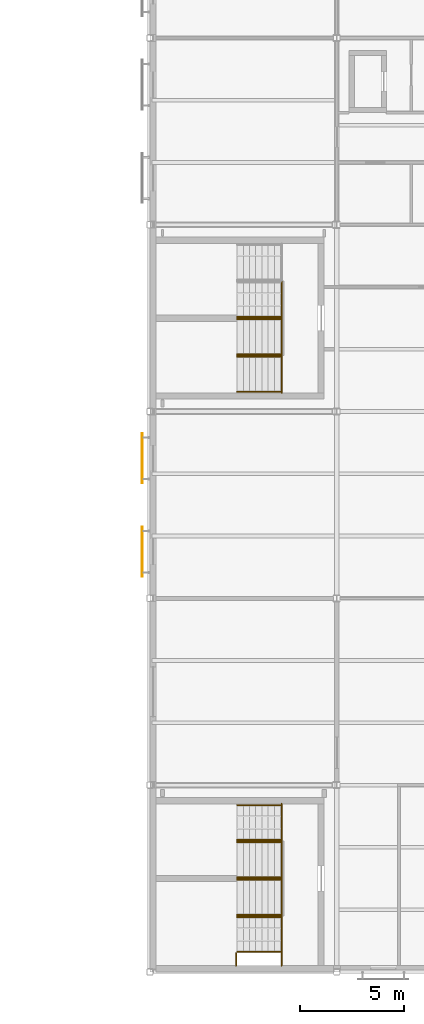
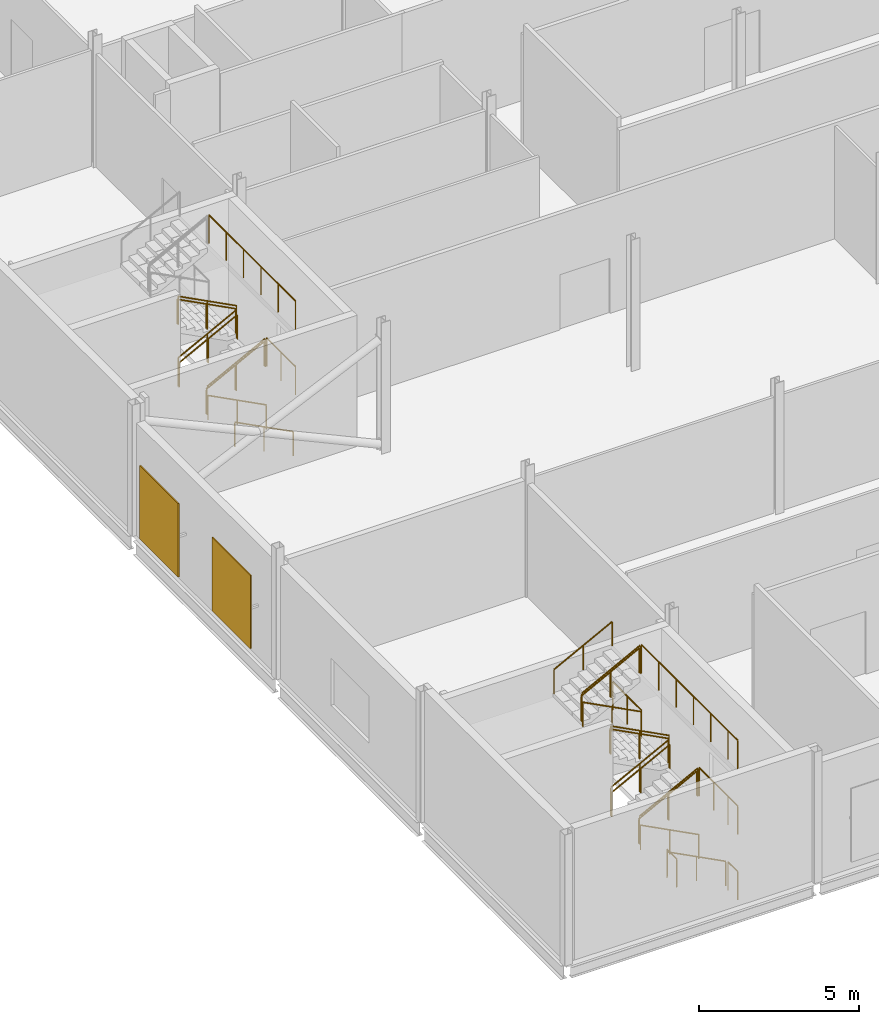
# One storey, part 105 of 112: 29 railings, 2 shading devices.
"""IFC4 building model written with IfcOpenShell, lengths in metres."""

from ifc_helpers import new_model, si_unit, direction, frame, origin, origin_2d, place, context, subcontext, project, spatial, rectangle, circle, extrude, material, layer, layer_set, type_object, element, save


model = new_model("IFC4")

# Units and contexts
model_context = context("Model", 3, precision=1e-05, world=origin(), true_north=direction((0.0, 1.0)))
body_context = subcontext(model_context, "Body", "Model", "MODEL_VIEW")
ifc_project = project(units=[si_unit("LENGTHUNIT", "METRE"), si_unit("AREAUNIT", "SQUARE_METRE"), si_unit("VOLUMEUNIT", "CUBIC_METRE"), si_unit("PLANEANGLEUNIT", "RADIAN"), si_unit("MASSUNIT", "GRAM", prefix="KILO")], contexts=[model_context])

# Site, building, storey
site_placement = place(None, origin())
site = spatial("IfcSite", under=ifc_project, at=site_placement, CompositionType="ELEMENT")
building_placement = place(site_placement, origin())
building = spatial("IfcBuilding", under=site, at=building_placement, Name="Shorebreak Coast Museum", CompositionType="ELEMENT")
storey_placement = place(building_placement, frame((0.0, 0.0, 6.0)))
storey = spatial("IfcBuildingStorey", under=building, at=storey_placement, Name="L01", CompositionType="ELEMENT", Elevation=6.0)

# Shading devices
ifc_material_1 = material(Name="Aluminium", Category="aluminium")
ifc_layer = layer(ifc_material_1, 0.0400390625)
ifc_layer_set = layer_set([ifc_layer], Name="Aluminium")
shading_device_type = type_object("IfcShadingDeviceType", Name="Perforated aluminium screen 2400 x 2800", PredefinedType="USERDEFINED", material=ifc_layer_set)
for number, where, z_axis, x_axis, name in (
    (1, (53.6298828125, 20.25, 0.5498046875), (0.0, 0.0, 1.0), (1.0, 0.0, 0.0), "Perforated screen L01 W17"),
    (2, (53.6298828125, 24.75, 0.5498046875), (0.0, 0.0, 1.0), (1.0, 0.0, 0.0), "Perforated screen L01 W18"),
):
    element("IfcShadingDevice", number, at=place(storey_placement, frame(where, z_axis=z_axis, x_axis=x_axis)), inside=storey, type_object=shading_device_type, Name=name, ObjectType="LOUVRE", PredefinedType="USERDEFINED", context=body_context, shape_type="SweptSolid", body=[
        extrude(rectangle(XDim=0.0400390625, YDim=2.39990234375, at=origin_2d()), origin(), (0.0, 0.0, 1.0), 2.800048828125),
    ])

# Railings
ifc_material_2 = material(Name="Steel Grade 300", Category="steel")
railing_type_1 = type_object("IfcRailingType", Name="Stair guard 1100", PredefinedType="GUARDRAIL", material=ifc_material_2)
for number, where, name in (
    (3, (60.35009765625, 0.89990234375, 2.5), "Guard ST11 L01 landing mid1"),
    (4, (60.35009765625, 6.300048828125, 2.5), "Guard ST11 L01 landing mid1"),
):
    element("IfcRailing", number, at=place(storey_placement, frame(where)), inside=storey, type_object=railing_type_1, Name=name, PredefinedType="GUARDRAIL", context=body_context, shape_type="SweptSolid", body=[
        extrude(circle(Radius=0.02490234375, at=origin_2d()), frame((0.0, 0.0, 1.0751953125), z_axis=(0.0, 1.0, 0.0), x_axis=(-1.0, 0.0, 0.0)), (0.0, 0.0, 1.0), 1.800048828125),
        extrude(circle(Radius=0.02001953125, at=origin_2d()), origin(), (0.0, 0.0, 1.0), 1.050048828125),
        extrude(circle(Radius=0.02001953125, at=origin_2d()), frame((0.0, 0.89990234375, 0.0)), (0.0, 0.0, 1.0), 1.050048828125),
        extrude(circle(Radius=0.02001953125, at=origin_2d()), frame((0.0, 1.800048828125, 0.0)), (0.0, 0.0, 1.0), 1.050048828125),
    ])
railing_1_placement = place(storey_placement, frame((60.35009765625, 0.89990234375, 5.0)))
element("IfcRailing", 5, at=railing_1_placement, inside=storey, type_object=railing_type_1, Name="Guard ST11 L01 landing top", PredefinedType="GUARDRAIL", context=body_context, shape_type="SweptSolid", body=[
    extrude(circle(Radius=0.02490234375, at=origin_2d()), frame((0.0, 0.0, 1.0751953125), z_axis=(0.0, 1.0, 0.0), x_axis=(-1.0, 0.0, 0.0)), (0.0, 0.0, 1.0), 5.400146484375),
    extrude(circle(Radius=0.02001953125, at=origin_2d()), origin(), (0.0, 0.0, 1.0), 1.050048828125),
    extrude(circle(Radius=0.02001953125, at=origin_2d()), frame((0.0, 1.080078125, 0.0)), (0.0, 0.0, 1.0), 1.050048828125),
    extrude(circle(Radius=0.02001953125, at=origin_2d()), frame((0.0, 2.16015625, 0.0)), (0.0, 0.0, 1.0), 1.050048828125),
    extrude(circle(Radius=0.02001953125, at=origin_2d()), frame((0.0, 3.239990234375, 0.0)), (0.0, 0.0, 1.0), 1.050048828125),
    extrude(circle(Radius=0.02001953125, at=origin_2d()), frame((0.0, 4.320068359375, 0.0)), (0.0, 0.0, 1.0), 1.050048828125),
    extrude(circle(Radius=0.02001953125, at=origin_2d()), frame((0.0, 5.400146484375, 0.0)), (0.0, 0.0, 1.0), 1.050048828125),
])
for number, where, name in (
    (6, (60.35009765625, 0.300048828125, 0.0), "Guard ST11 L01 landing strip"),
    (7, (60.35009765625, 0.300048828125, 2.5), "Guard ST11 L01 landing strip"),
    (8, (58.14990234375, 0.300048828125, 1.25), "Guard ST11 L01 landing strip"),
    (9, (60.35009765625, 0.300048828125, 5.0), "Guard ST11 L01 landing strip"),
):
    element("IfcRailing", number, at=place(storey_placement, frame(where)), inside=storey, type_object=railing_type_1, Name=name, PredefinedType="GUARDRAIL", context=body_context, shape_type="SweptSolid", body=[
        extrude(circle(Radius=0.02490234375, at=origin_2d()), frame((0.0, 0.0, 1.0751953125), z_axis=(0.0, 1.0, 0.0), x_axis=(-1.0, 0.0, 0.0)), (0.0, 0.0, 1.0), 0.599853515625),
        extrude(circle(Radius=0.02001953125, at=origin_2d()), origin(), (0.0, 0.0, 1.0), 1.050048828125),
        extrude(circle(Radius=0.02001953125, at=origin_2d()), frame((0.0, 0.599853515625, 0.0)), (0.0, 0.0, 1.0), 1.050048828125),
    ])
for number, where, name in (
    (10, (58.199951171875, 2.699951171875, 1.40625), "Guard ST11-L01 well 1"),
    (11, (58.199951171875, 6.300048828125, 3.90625), "Guard ST11-L01 well 2"),
    (12, (58.199951171875, 4.5, 1.40625), "Guard ST11-L01 side 1"),
):
    element("IfcRailing", number, at=place(storey_placement, frame(where)), inside=storey, type_object=railing_type_1, Name=name, PredefinedType="GUARDRAIL", context=body_context, shape_type="SweptSolid", body=[
        extrude(circle(Radius=0.02490234375, at=origin_2d()), frame((0.0, 0.0, 1.0751953125), z_axis=(0.8869228845, 0.0, 0.461917521804), x_axis=(0.0, 1.0, 0.0)), (0.0, 0.0, 1.0), 2.367919921875),
        extrude(circle(Radius=0.02001953125, at=origin_2d()), origin(), (0.0, 0.0, 1.0), 1.050048828125),
        extrude(circle(Radius=0.02001953125, at=origin_2d()), frame((1.050048828125, 0.0, 0.546875)), (0.0, 0.0, 1.0), 1.050048828125),
        extrude(circle(Radius=0.02001953125, at=origin_2d()), frame((2.10009765625, 0.0, 1.09375)), (0.0, 0.0, 1.0), 1.050048828125),
    ])
railing_2_placement = place(storey_placement, frame((60.300048828125, 4.5, 2.65625)))
element("IfcRailing", 13, at=railing_2_placement, inside=storey, type_object=railing_type_1, Name="Guard ST11-L01 side 2", PredefinedType="GUARDRAIL", context=body_context, shape_type="SweptSolid", body=[
    extrude(circle(Radius=0.02490234375, at=origin_2d()), frame((0.0, 0.0, 1.0751953125), z_axis=(-0.8869228845, 0.0, 0.461917521804), x_axis=(0.0, -1.0, 0.0)), (0.0, 0.0, 1.0), 2.367919921875),
    extrude(circle(Radius=0.02001953125, at=origin_2d()), origin(), (0.0, 0.0, 1.0), 1.050048828125),
    extrude(circle(Radius=0.02001953125, at=origin_2d()), frame((-1.050048828125, 0.0, 0.546875)), (0.0, 0.0, 1.0), 1.050048828125),
    extrude(circle(Radius=0.02001953125, at=origin_2d()), frame((-2.10009765625, 0.0, 1.09375)), (0.0, 0.0, 1.0), 1.050048828125),
])
railing_3_placement = place(storey_placement, frame((60.35009765625, 27.89990234375, 2.5)))
element("IfcRailing", 14, at=railing_3_placement, inside=storey, type_object=railing_type_1, Name="Guard ST13 L01 landing mid1", PredefinedType="GUARDRAIL", context=body_context, shape_type="SweptSolid", body=[
    extrude(circle(Radius=0.02490234375, at=origin_2d()), frame((0.0, 0.0, 1.0751953125), z_axis=(0.0, 1.0, 0.0), x_axis=(-1.0, 0.0, 0.0)), (0.0, 0.0, 1.0), 1.800048828125),
    extrude(circle(Radius=0.02001953125, at=origin_2d()), origin(), (0.0, 0.0, 1.0), 1.050048828125),
    extrude(circle(Radius=0.02001953125, at=origin_2d()), frame((0.0, 0.89990234375, 0.0)), (0.0, 0.0, 1.0), 1.050048828125),
    extrude(circle(Radius=0.02001953125, at=origin_2d()), frame((0.0, 1.800048828125, 0.0)), (0.0, 0.0, 1.0), 1.050048828125),
])
railing_4_placement = place(storey_placement, frame((60.35009765625, 27.89990234375, 5.0)))
element("IfcRailing", 15, at=railing_4_placement, inside=storey, type_object=railing_type_1, Name="Guard ST13 L01 landing top", PredefinedType="GUARDRAIL", context=body_context, shape_type="SweptSolid", body=[
    extrude(circle(Radius=0.02490234375, at=origin_2d()), frame((0.0, 0.0, 1.0751953125), z_axis=(0.0, 1.0, 0.0), x_axis=(-1.0, 0.0, 0.0)), (0.0, 0.0, 1.0), 5.400146484375),
    extrude(circle(Radius=0.02001953125, at=origin_2d()), origin(), (0.0, 0.0, 1.0), 1.050048828125),
    extrude(circle(Radius=0.02001953125, at=origin_2d()), frame((0.0, 1.080078125, 0.0)), (0.0, 0.0, 1.0), 1.050048828125),
    extrude(circle(Radius=0.02001953125, at=origin_2d()), frame((0.0, 2.16015625, 0.0)), (0.0, 0.0, 1.0), 1.050048828125),
    extrude(circle(Radius=0.02001953125, at=origin_2d()), frame((0.0, 3.239990234375, 0.0)), (0.0, 0.0, 1.0), 1.050048828125),
    extrude(circle(Radius=0.02001953125, at=origin_2d()), frame((0.0, 4.320068359375, 0.0)), (0.0, 0.0, 1.0), 1.050048828125),
    extrude(circle(Radius=0.02001953125, at=origin_2d()), frame((0.0, 5.400146484375, 0.0)), (0.0, 0.0, 1.0), 1.050048828125),
])
for number, where, name in (
    (16, (58.199951171875, 29.699951171875, 1.40625), "Guard ST13-L01 well 1"),
    (17, (58.199951171875, 31.5, 1.40625), "Guard ST13-L01 side 1"),
):
    element("IfcRailing", number, at=place(storey_placement, frame(where)), inside=storey, type_object=railing_type_1, Name=name, PredefinedType="GUARDRAIL", context=body_context, shape_type="SweptSolid", body=[
        extrude(circle(Radius=0.02490234375, at=origin_2d()), frame((0.0, 0.0, 1.0751953125), z_axis=(0.8869228845, 0.0, 0.461917521804), x_axis=(0.0, 1.0, 0.0)), (0.0, 0.0, 1.0), 2.367919921875),
        extrude(circle(Radius=0.02001953125, at=origin_2d()), origin(), (0.0, 0.0, 1.0), 1.050048828125),
        extrude(circle(Radius=0.02001953125, at=origin_2d()), frame((1.050048828125, 0.0, 0.546875)), (0.0, 0.0, 1.0), 1.050048828125),
        extrude(circle(Radius=0.02001953125, at=origin_2d()), frame((2.10009765625, 0.0, 1.09375)), (0.0, 0.0, 1.0), 1.050048828125),
    ])
railing_5_placement = place(storey_placement, frame((60.300048828125, 31.5, 2.65625)))
element("IfcRailing", 18, at=railing_5_placement, inside=storey, type_object=railing_type_1, Name="Guard ST13-L01 side 2", PredefinedType="GUARDRAIL", context=body_context, shape_type="SweptSolid", body=[
    extrude(circle(Radius=0.02490234375, at=origin_2d()), frame((0.0, 0.0, 1.0751953125), z_axis=(-0.8869228845, 0.0, 0.461917521804), x_axis=(0.0, -1.0, 0.0)), (0.0, 0.0, 1.0), 2.367919921875),
    extrude(circle(Radius=0.02001953125, at=origin_2d()), origin(), (0.0, 0.0, 1.0), 1.050048828125),
    extrude(circle(Radius=0.02001953125, at=origin_2d()), frame((-1.050048828125, 0.0, 0.546875)), (0.0, 0.0, 1.0), 1.050048828125),
    extrude(circle(Radius=0.02001953125, at=origin_2d()), frame((-2.10009765625, 0.0, 1.09375)), (0.0, 0.0, 1.0), 1.050048828125),
])
ifc_material_3 = material(Name="Steel Grade 300", Category="steel")
railing_type_2 = type_object("IfcRailingType", Name="Stair handrail 950", PredefinedType="HANDRAIL", material=ifc_material_3)
for number, where, name in (
    (19, (60.300048828125, 0.9599609375, 0.15625), "Handrail ST11-L01 flight 1a"),
    (20, (60.300048828125, 2.639892578125, 0.15625), "Handrail ST11-L01 flight 1b"),
):
    element("IfcRailing", number, at=place(storey_placement, frame(where)), inside=storey, type_object=railing_type_2, Name=name, PredefinedType="HANDRAIL", context=body_context, shape_type="SweptSolid", body=[
        extrude(circle(Radius=0.02490234375, at=origin_2d()), frame((0.0, 0.0, 0.9248046875), z_axis=(-0.8869228845, 0.0, 0.461917521804), x_axis=(0.0, -1.0, 0.0)), (0.0, 0.0, 1.0), 2.367919921875),
        extrude(circle(Radius=0.02001953125, at=origin_2d()), origin(), (0.0, 0.0, 1.0), 0.89990234375),
        extrude(circle(Radius=0.02001953125, at=origin_2d()), frame((-1.050048828125, 0.0, 0.546875)), (0.0, 0.0, 1.0), 0.89990234375),
        extrude(circle(Radius=0.02001953125, at=origin_2d()), frame((-2.10009765625, 0.0, 1.09375)), (0.0, 0.0, 1.0), 0.89990234375),
    ])
for number, where, name in (
    (21, (58.199951171875, 2.760009765625, 1.40625), "Handrail ST11-L01 flight 2a"),
    (22, (58.199951171875, 4.43994140625, 1.40625), "Handrail ST11-L01 flight 2b"),
):
    element("IfcRailing", number, at=place(storey_placement, frame(where)), inside=storey, type_object=railing_type_2, Name=name, PredefinedType="HANDRAIL", context=body_context, shape_type="SweptSolid", body=[
        extrude(circle(Radius=0.02490234375, at=origin_2d()), frame((0.0, 0.0, 0.9248046875), z_axis=(0.8869228845, 0.0, 0.461917521804), x_axis=(0.0, 1.0, 0.0)), (0.0, 0.0, 1.0), 2.367919921875),
        extrude(circle(Radius=0.02001953125, at=origin_2d()), origin(), (0.0, 0.0, 1.0), 0.89990234375),
        extrude(circle(Radius=0.02001953125, at=origin_2d()), frame((1.050048828125, 0.0, 0.546875)), (0.0, 0.0, 1.0), 0.89990234375),
        extrude(circle(Radius=0.02001953125, at=origin_2d()), frame((2.10009765625, 0.0, 1.09375)), (0.0, 0.0, 1.0), 0.89990234375),
    ])
for number, where, name in (
    (23, (60.300048828125, 4.56005859375, 2.65625), "Handrail ST11-L01 flight 3a"),
    (24, (60.300048828125, 6.239990234375, 2.65625), "Handrail ST11-L01 flight 3b"),
):
    element("IfcRailing", number, at=place(storey_placement, frame(where)), inside=storey, type_object=railing_type_2, Name=name, PredefinedType="HANDRAIL", context=body_context, shape_type="SweptSolid", body=[
        extrude(circle(Radius=0.02490234375, at=origin_2d()), frame((0.0, 0.0, 0.9248046875), z_axis=(-0.8869228845, 0.0, 0.461917521804), x_axis=(0.0, -1.0, 0.0)), (0.0, 0.0, 1.0), 2.367919921875),
        extrude(circle(Radius=0.02001953125, at=origin_2d()), origin(), (0.0, 0.0, 1.0), 0.89990234375),
        extrude(circle(Radius=0.02001953125, at=origin_2d()), frame((-1.050048828125, 0.0, 0.546875)), (0.0, 0.0, 1.0), 0.89990234375),
        extrude(circle(Radius=0.02001953125, at=origin_2d()), frame((-2.10009765625, 0.0, 1.09375)), (0.0, 0.0, 1.0), 0.89990234375),
    ])
for number, where, name in (
    (25, (58.199951171875, 6.360107421875, 3.90625), "Handrail ST11-L01 flight 4a"),
    (26, (58.199951171875, 8.0400390625, 3.90625), "Handrail ST11-L01 flight 4b"),
):
    element("IfcRailing", number, at=place(storey_placement, frame(where)), inside=storey, type_object=railing_type_2, Name=name, PredefinedType="HANDRAIL", context=body_context, shape_type="SweptSolid", body=[
        extrude(circle(Radius=0.02490234375, at=origin_2d()), frame((0.0, 0.0, 0.9248046875), z_axis=(0.8869228845, 0.0, 0.461917521804), x_axis=(0.0, 1.0, 0.0)), (0.0, 0.0, 1.0), 2.367919921875),
        extrude(circle(Radius=0.02001953125, at=origin_2d()), origin(), (0.0, 0.0, 1.0), 0.89990234375),
        extrude(circle(Radius=0.02001953125, at=origin_2d()), frame((1.050048828125, 0.0, 0.546875)), (0.0, 0.0, 1.0), 0.89990234375),
        extrude(circle(Radius=0.02001953125, at=origin_2d()), frame((2.10009765625, 0.0, 1.09375)), (0.0, 0.0, 1.0), 0.89990234375),
    ])
for number, where, name in (
    (27, (60.300048828125, 27.9599609375, 0.15625), "Handrail ST13-L01 flight 1a"),
    (28, (60.300048828125, 29.639892578125, 0.15625), "Handrail ST13-L01 flight 1b"),
):
    element("IfcRailing", number, at=place(storey_placement, frame(where)), inside=storey, type_object=railing_type_2, Name=name, PredefinedType="HANDRAIL", context=body_context, shape_type="SweptSolid", body=[
        extrude(circle(Radius=0.02490234375, at=origin_2d()), frame((0.0, 0.0, 0.9248046875), z_axis=(-0.8869228845, 0.0, 0.461917521804), x_axis=(0.0, -1.0, 0.0)), (0.0, 0.0, 1.0), 2.367919921875),
        extrude(circle(Radius=0.02001953125, at=origin_2d()), origin(), (0.0, 0.0, 1.0), 0.89990234375),
        extrude(circle(Radius=0.02001953125, at=origin_2d()), frame((-1.050048828125, 0.0, 0.546875)), (0.0, 0.0, 1.0), 0.89990234375),
        extrude(circle(Radius=0.02001953125, at=origin_2d()), frame((-2.10009765625, 0.0, 1.09375)), (0.0, 0.0, 1.0), 0.89990234375),
    ])
for number, where, name in (
    (29, (58.199951171875, 29.760009765625, 1.40625), "Handrail ST13-L01 flight 2a"),
    (30, (58.199951171875, 31.43994140625, 1.40625), "Handrail ST13-L01 flight 2b"),
):
    element("IfcRailing", number, at=place(storey_placement, frame(where)), inside=storey, type_object=railing_type_2, Name=name, PredefinedType="HANDRAIL", context=body_context, shape_type="SweptSolid", body=[
        extrude(circle(Radius=0.02490234375, at=origin_2d()), frame((0.0, 0.0, 0.9248046875), z_axis=(0.8869228845, 0.0, 0.461917521804), x_axis=(0.0, 1.0, 0.0)), (0.0, 0.0, 1.0), 2.367919921875),
        extrude(circle(Radius=0.02001953125, at=origin_2d()), origin(), (0.0, 0.0, 1.0), 0.89990234375),
        extrude(circle(Radius=0.02001953125, at=origin_2d()), frame((1.050048828125, 0.0, 0.546875)), (0.0, 0.0, 1.0), 0.89990234375),
        extrude(circle(Radius=0.02001953125, at=origin_2d()), frame((2.10009765625, 0.0, 1.09375)), (0.0, 0.0, 1.0), 0.89990234375),
    ])
railing_6_placement = place(storey_placement, frame((60.300048828125, 31.56005859375, 2.65625)))
element("IfcRailing", 31, at=railing_6_placement, inside=storey, type_object=railing_type_2, Name="Handrail ST13-L01 flight 3a", PredefinedType="HANDRAIL", context=body_context, shape_type="SweptSolid", body=[
    extrude(circle(Radius=0.02490234375, at=origin_2d()), frame((0.0, 0.0, 0.9248046875), z_axis=(-0.8869228845, 0.0, 0.461917521804), x_axis=(0.0, -1.0, 0.0)), (0.0, 0.0, 1.0), 2.367919921875),
    extrude(circle(Radius=0.02001953125, at=origin_2d()), origin(), (0.0, 0.0, 1.0), 0.89990234375),
    extrude(circle(Radius=0.02001953125, at=origin_2d()), frame((-1.050048828125, 0.0, 0.546875)), (0.0, 0.0, 1.0), 0.89990234375),
    extrude(circle(Radius=0.02001953125, at=origin_2d()), frame((-2.10009765625, 0.0, 1.09375)), (0.0, 0.0, 1.0), 0.89990234375),
])

save(model, "model.ifc")
